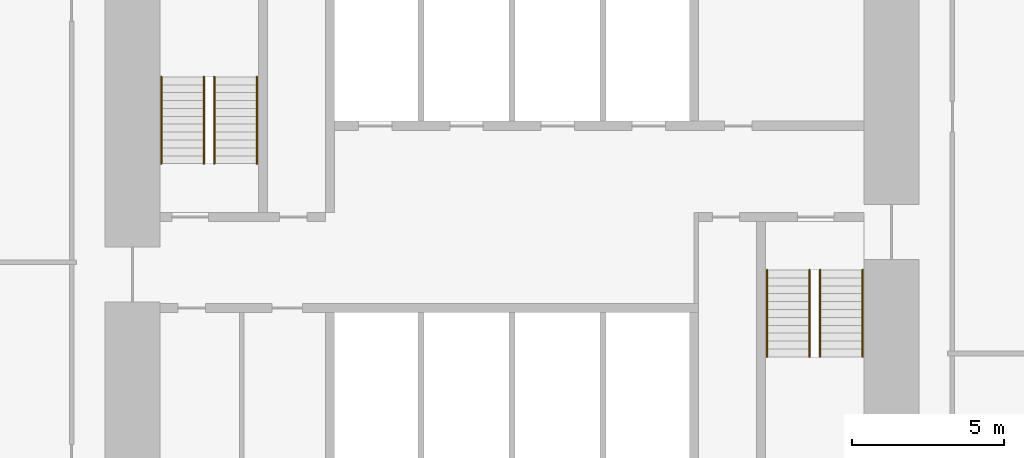
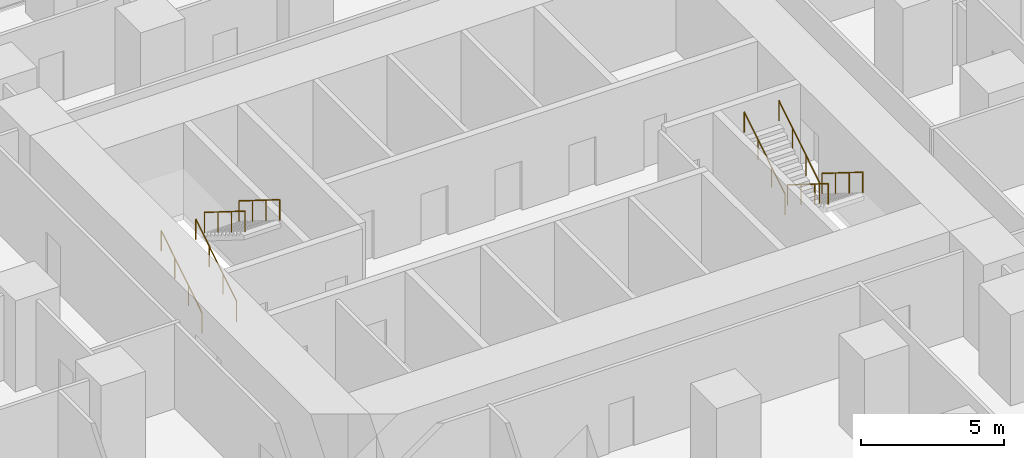
# One storey, part 13 of 13: 8 railings.
"""IFC4 building model written with IfcOpenShell, lengths in metres."""

import ifcopenshell
import ifcopenshell.guid

model = None  # the IFC model being written
_history = None  # IfcOwnerHistory: only IFC2X3 demands one
_inside = {}  # id of a spatial element -> (the spatial element, [elements in it])
_under = {}  # id of a project, library or spatial element -> (it, [spatial elements below it])
_declared = {}  # id of a project -> (the project, [libraries it declares])
_typed = {}  # id of a type object -> (the type object, [elements of that type])
_made_of = {}  # id of a material, layer set ... -> (it, [elements and type objects made of it])


def new_model(schema):
    """Start an empty IFC model of exactly this schema.

    Asked for "IFC4X3", IfcOpenShell would pick the latest addendum, in which some entities
    have other attributes; the version numbers below select the first issue.
    IFC2X3 requires an IfcOwnerHistory on every rooted entity: one is made here for all.
    """
    global model, _history
    if schema == "IFC4X3":
        model = ifcopenshell.file(schema_version=(4, 3, 0, 0))
    else:
        model = ifcopenshell.file(schema=schema)
    _inside.clear()
    _under.clear()
    _declared.clear()
    _typed.clear()
    _made_of.clear()
    _history = None
    if model.schema == "IFC2X3":
        org = make("IfcOrganization", Name="unknown")
        user = make(
            "IfcPersonAndOrganization",
            ThePerson=make("IfcPerson", FamilyName="unknown"),
            TheOrganization=org,
        )
        app = make(
            "IfcApplication",
            ApplicationDeveloper=org,
            Version="unknown",
            ApplicationFullName="unknown",
            ApplicationIdentifier="unknown",
        )
        _history = make(
            "IfcOwnerHistory",
            OwningUser=user,
            OwningApplication=app,
            ChangeAction="ADDED",
            CreationDate=0,
        )
    return model


def make(cls, **values):
    """One entity of the class cls with the attributes given. An attribute that is None is left unset."""
    return model.create_entity(
        cls, **{name: value for name, value in values.items() if value is not None}
    )


def rooted(cls, **values):
    """An entity with a GlobalId (a new one), such as an element, a storey or a relation."""
    return make(cls, GlobalId=ifcopenshell.guid.new(), OwnerHistory=_history, **values)


def si_unit(unit_type, name, prefix=None):
    """IfcSIUnit, for example si_unit("LENGTHUNIT", "METRE", prefix="MILLI")."""
    return make("IfcSIUnit", UnitType=unit_type, Prefix=prefix, Name=name)


def assignment(units):
    """IfcUnitAssignment: the units of a project."""
    return None if units is None else make("IfcUnitAssignment", Units=units)


def point(xyz):
    """IfcCartesianPoint."""
    return None if xyz is None else make("IfcCartesianPoint", Coordinates=xyz)


def direction(xyz):
    """IfcDirection."""
    return None if xyz is None else make("IfcDirection", DirectionRatios=xyz)


def frame(location, z_axis=None, x_axis=None):
    """IfcAxis2Placement3D, a coordinate frame: its origin and axes. An axis left out is left unset."""
    return make(
        "IfcAxis2Placement3D",
        Location=point(location),
        Axis=direction(z_axis),
        RefDirection=direction(x_axis),
    )


def frame_2d(location, x_axis=None):
    """IfcAxis2Placement2D, a coordinate frame in the plane: its origin and x axis."""
    return make(
        "IfcAxis2Placement2D", Location=point(location), RefDirection=direction(x_axis)
    )


def origin():
    """The frame at (0, 0, 0) with its axes left unset."""
    return frame((0.0, 0.0, 0.0))


def origin_2d():
    """The frame at (0, 0) in the plane with its x axis left unset."""
    return frame_2d((0.0, 0.0))


def place(relative_to, where):
    """IfcLocalPlacement: puts the frame where relative to a parent placement (None: the world)."""
    return make(
        "IfcLocalPlacement", PlacementRelTo=relative_to, RelativePlacement=where
    )


def context(
    kind, dimensions, precision=None, world=None, true_north=None, identifier=None
):
    """IfcGeometricRepresentationContext, for example the 3D "Model" context."""
    return make(
        "IfcGeometricRepresentationContext",
        ContextIdentifier=identifier,
        ContextType=kind,
        CoordinateSpaceDimension=dimensions,
        Precision=precision,
        WorldCoordinateSystem=world,
        TrueNorth=true_north,
    )


def subcontext(parent, identifier, kind, view, scale=None):
    """IfcGeometricRepresentationSubContext, for example "Body" below "Model"."""
    return make(
        "IfcGeometricRepresentationSubContext",
        ContextIdentifier=identifier,
        ContextType=kind,
        ParentContext=parent,
        TargetScale=scale,
        TargetView=view,
    )


def project(units=None, contexts=None):
    """IfcProject with its units and contexts."""
    return rooted(
        "IfcProject",
        Name="project",
        RepresentationContexts=contexts,
        UnitsInContext=assignment(units),
    )


def spatial(cls, under=None, at=None, **own):
    """A site, building, storey or space (cls), placed at a placement, below another one or the project."""
    s = rooted(cls, ObjectPlacement=at, **own)
    if under is not None:
        _under.setdefault(under.id(), (under, []))[1].append(s)
    return s


def profile(cls, at=None, kind="AREA", **sizes):
    """A parametric profile (cls). Its sizes go by their IFC names, for example OverallWidth=200.0."""
    return make(cls, ProfileType=kind, Position=at, **sizes)


def circle(**sizes):
    """IfcCircleProfileDef."""
    return profile("IfcCircleProfileDef", **sizes)


def extrude(swept, where, along, depth):
    """IfcExtrudedAreaSolid: the profile swept, set in the frame where, extruded along a direction by depth."""
    return make(
        "IfcExtrudedAreaSolid",
        SweptArea=swept,
        Position=where,
        ExtrudedDirection=direction(along),
        Depth=depth,
    )


def shape(context_of_items, identifier, shape_type, items):
    """IfcShapeRepresentation: the items that make up one representation, for example the "Body"."""
    return make(
        "IfcShapeRepresentation",
        ContextOfItems=context_of_items,
        RepresentationIdentifier=identifier,
        RepresentationType=shape_type,
        Items=items,
    )


def material(Name=None, Category=None):
    """IfcMaterial."""
    return make("IfcMaterial", Name=Name, Category=Category)


def made_of(thing, what):
    """Note that an element or type object is made of a material, layer set ...; save() writes the relation."""
    if what is not None:
        _made_of.setdefault(what.id(), (what, []))[1].append(thing)
    return thing


def type_object(cls, material=None, **own):
    """A type object (cls), such as IfcWallType, which elements share."""
    return made_of(rooted(cls, **own), material)


def element(
    cls,
    number,
    at=None,
    inside=None,
    cuts=None,
    type_object=None,
    material=None,
    context=None,
    identifier="Body",
    shape_type=None,
    held_by="IfcProductDefinitionShape",
    body=None,
    shapes=None,
    **own,
):
    """One element of the class cls, such as IfcWall. Its Tag is "e" and its number.

    at: its placement. inside: the storey or other place that contains it. cuts: it is an
    opening in that element (IfcRelVoidsElement). A single representation is given by context,
    identifier, shape_type and body (its items); several are given by shapes. held_by: the class
    of the entity that holds the representations. save() writes the other relations.
    """
    e = rooted(cls, Tag="e%d" % number, ObjectPlacement=at, **own)
    if body is not None:
        shapes = [shape(context, identifier, shape_type, body)]
    if shapes is not None:
        e.Representation = make(held_by, Representations=shapes)
    if inside is not None:
        _inside.setdefault(inside.id(), (inside, []))[1].append(e)
    if cuts is not None:
        rooted(
            "IfcRelVoidsElement", RelatingBuildingElement=cuts, RelatedOpeningElement=e
        )
    if type_object is not None:
        _typed.setdefault(type_object.id(), (type_object, []))[1].append(e)
    return made_of(e, material)


def aggregate(whole, parts):
    """IfcRelAggregates: a whole, such as a stair, and the parts it consists of."""
    return rooted("IfcRelAggregates", RelatingObject=whole, RelatedObjects=parts)


def save(model, path):
    """Write the relations noted so far, then the file.

    IfcRelAggregates (storeys below a building ...), IfcRelContainedInSpatialStructure (elements
    in a storey), IfcRelDefinesByType, IfcRelAssociatesMaterial and IfcRelDeclares: one each for
    every whole, place, type object, material and project.
    """
    for whole, parts in _under.values():
        aggregate(whole, parts)
    for where, things in _inside.values():
        rooted(
            "IfcRelContainedInSpatialStructure",
            RelatedElements=things,
            RelatingStructure=where,
        )
    for kind, things in _typed.values():
        rooted("IfcRelDefinesByType", RelatedObjects=things, RelatingType=kind)
    for what, things in _made_of.values():
        rooted("IfcRelAssociatesMaterial", RelatedObjects=things, RelatingMaterial=what)
    for by, libraries in _declared.values():
        rooted("IfcRelDeclares", RelatingContext=by, RelatedDefinitions=libraries)
    model.write(path)


model = new_model("IFC4")

# Units and contexts
model_context = context("Model", 3, precision=1e-05, world=origin(), true_north=direction((0.0, 1.0)))
body_context = subcontext(model_context, "Body", "Model", "MODEL_VIEW")
ifc_project = project(units=[si_unit("LENGTHUNIT", "METRE"), si_unit("AREAUNIT", "SQUARE_METRE"), si_unit("VOLUMEUNIT", "CUBIC_METRE"), si_unit("PLANEANGLEUNIT", "RADIAN"), si_unit("MASSUNIT", "GRAM", prefix="KILO")], contexts=[model_context])

# Site, building, storey
site_placement = place(None, origin())
site = spatial("IfcSite", under=ifc_project, at=site_placement, CompositionType="ELEMENT")
building_placement = place(site_placement, origin())
building = spatial("IfcBuilding", under=site, at=building_placement, Name="Highveld Stack Headquarters", CompositionType="ELEMENT")
storey_placement = place(building_placement, frame((0.0, 0.0, 61.10009765625)))
storey = spatial("IfcBuildingStorey", under=building, at=storey_placement, Name="L14", CompositionType="ELEMENT", Elevation=61.10009765625)

# Railings
ifc_material = material(Name="Stainless steel handrail", Category="steel")
railing_type = type_object("IfcRailingType", Name="STAIR HANDRAIL HR1 900", PredefinedType="HANDRAIL", material=ifc_material)
for number, where, name in (
    (1, (-5.550048828125, 4.75, 0.162353515625), "Handrail S1 L14 flight 1"),
    (2, (-4.14990234375, 4.75, 0.162353515625), "Handrail S1 L14 flight 1"),
):
    element("IfcRailing", number, at=place(storey_placement, frame(where)), inside=storey, type_object=railing_type, Name=name, PredefinedType="HANDRAIL", context=body_context, shape_type="SweptSolid", body=[
        extrude(circle(Radius=0.02392578125, at=origin_2d()), frame((0.0, 0.0, 0.8759765625), z_axis=(0.0, 0.847994237388, 0.530005446535), x_axis=(-1.0, 0.0, 0.0)), (0.0, 0.0, 1.0), 3.372802734375),
        extrude(circle(Radius=0.02099609375, at=origin_2d()), origin(), (0.0, 0.0, 1.0), 0.851806640625),
        extrude(circle(Radius=0.02099609375, at=origin_2d()), frame((0.0, 0.953369140625, 0.595947265625)), (0.0, 0.0, 1.0), 0.851806640625),
        extrude(circle(Radius=0.02099609375, at=origin_2d()), frame((0.0, 1.90673828125, 1.191650390625)), (0.0, 0.0, 1.0), 0.851806640625),
        extrude(circle(Radius=0.02099609375, at=origin_2d()), frame((0.0, 2.860107421875, 1.78759765625)), (0.0, 0.0, 1.0), 0.851806640625),
    ])
for number, where, name in (
    (3, (-3.800048828125, 7.610107421875, 2.1123046875), "Handrail S1 L14 flight 2"),
    (4, (-2.39990234375, 7.610107421875, 2.1123046875), "Handrail S1 L14 flight 2"),
    (5, (16.14990234375, 1.25, 0.162353515625), "Handrail S2 L14 flight 1"),
    (6, (17.550048828125, 1.25, 0.162353515625), "Handrail S2 L14 flight 1"),
):
    element("IfcRailing", number, at=place(storey_placement, frame(where)), inside=storey, type_object=railing_type, Name=name, PredefinedType="HANDRAIL", context=body_context, shape_type="SweptSolid", body=[
        extrude(circle(Radius=0.02392578125, at=origin_2d()), frame((0.0, 0.0, 0.8759765625), z_axis=(0.0, -0.847994237388, 0.530005446535), x_axis=(1.0, 0.0, 0.0)), (0.0, 0.0, 1.0), 3.372802734375),
        extrude(circle(Radius=0.02099609375, at=origin_2d()), origin(), (0.0, 0.0, 1.0), 0.851806640625),
        extrude(circle(Radius=0.02099609375, at=origin_2d()), frame((0.0, -0.953369140625, 0.595947265625)), (0.0, 0.0, 1.0), 0.851806640625),
        extrude(circle(Radius=0.02099609375, at=origin_2d()), frame((0.0, -1.90673828125, 1.191650390625)), (0.0, 0.0, 1.0), 0.851806640625),
        extrude(circle(Radius=0.02099609375, at=origin_2d()), frame((0.0, -2.860107421875, 1.78759765625)), (0.0, 0.0, 1.0), 0.851806640625),
    ])
for number, where, name in (
    (7, (14.39990234375, -1.610107421875, 2.1123046875), "Handrail S2 L14 flight 2"),
    (8, (15.800048828125, -1.610107421875, 2.1123046875), "Handrail S2 L14 flight 2"),
):
    element("IfcRailing", number, at=place(storey_placement, frame(where)), inside=storey, type_object=railing_type, Name=name, PredefinedType="HANDRAIL", context=body_context, shape_type="SweptSolid", body=[
        extrude(circle(Radius=0.02392578125, at=origin_2d()), frame((0.0, 0.0, 0.8759765625), z_axis=(0.0, 0.847994237388, 0.530005446535), x_axis=(-1.0, 0.0, 0.0)), (0.0, 0.0, 1.0), 3.372802734375),
        extrude(circle(Radius=0.02099609375, at=origin_2d()), origin(), (0.0, 0.0, 1.0), 0.851806640625),
        extrude(circle(Radius=0.02099609375, at=origin_2d()), frame((0.0, 0.953369140625, 0.595947265625)), (0.0, 0.0, 1.0), 0.851806640625),
        extrude(circle(Radius=0.02099609375, at=origin_2d()), frame((0.0, 1.90673828125, 1.191650390625)), (0.0, 0.0, 1.0), 0.851806640625),
        extrude(circle(Radius=0.02099609375, at=origin_2d()), frame((0.0, 2.860107421875, 1.78759765625)), (0.0, 0.0, 1.0), 0.851806640625),
    ])

save(model, "model.ifc")
